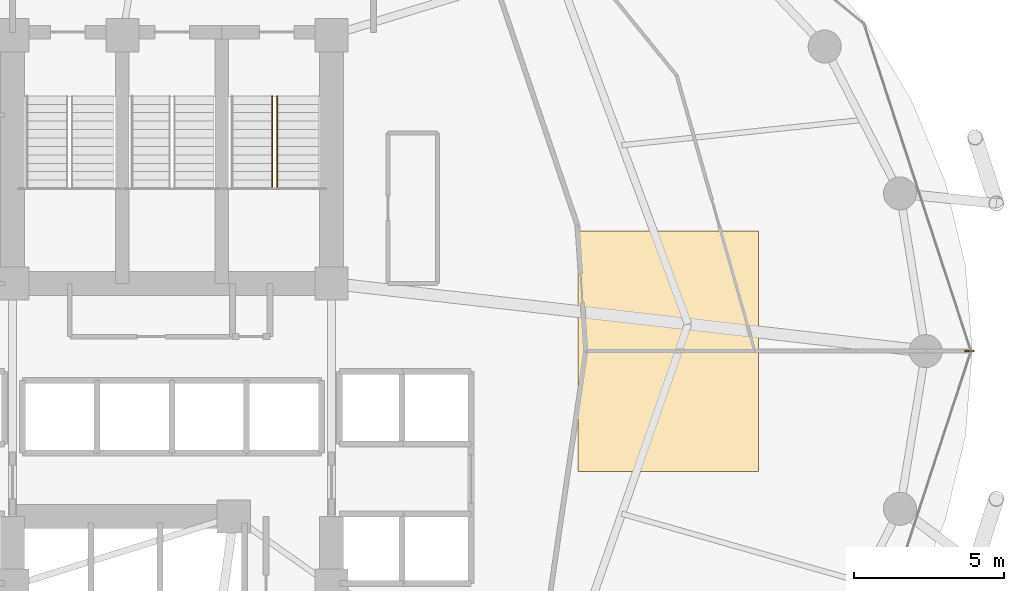
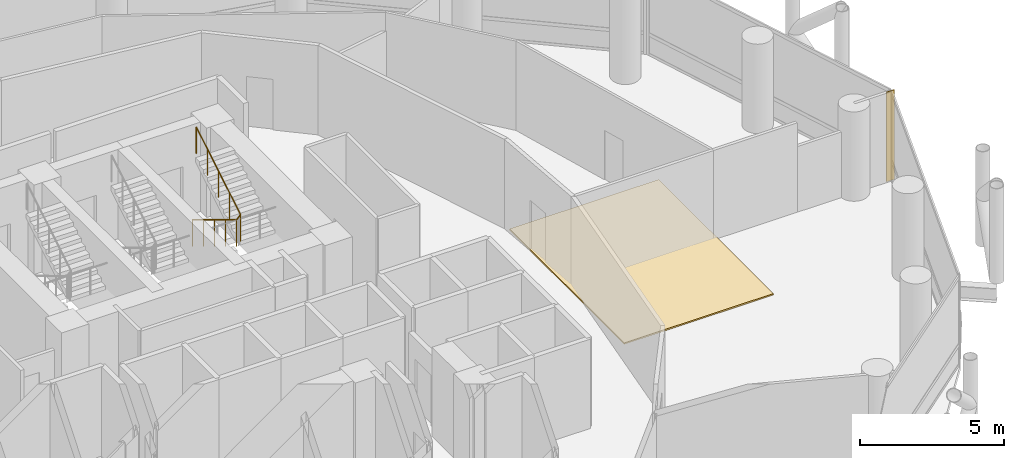
# One storey, part 26 of 26: 1 covering, 1 railing, 1 shading device.
"""IFC4 building model written with IfcOpenShell, lengths in metres."""

from ifc_helpers import new_model, si_unit, direction, frame, origin, origin_2d, place, context, subcontext, project, spatial, polyline, rectangle, outline, extrude, material, layer, layer_set, type_object, element, save


model = new_model("IFC4")

# Units and contexts
model_context = context("Model", 3, precision=1e-05, world=origin(), true_north=direction((0.0, 1.0)))
body_context = subcontext(model_context, "Body", "Model", "MODEL_VIEW")
ifc_project = project(units=[si_unit("LENGTHUNIT", "METRE"), si_unit("AREAUNIT", "SQUARE_METRE"), si_unit("VOLUMEUNIT", "CUBIC_METRE"), si_unit("PLANEANGLEUNIT", "RADIAN"), si_unit("MASSUNIT", "GRAM", prefix="KILO")], contexts=[model_context])

# Site, building, storey
site_placement = place(None, origin())
site = spatial("IfcSite", under=ifc_project, at=site_placement, CompositionType="ELEMENT")
building_placement = place(site_placement, origin())
building = spatial("IfcBuilding", under=site, at=building_placement, Name="Nuhasar Tower", CompositionType="ELEMENT")
storey_placement = place(building_placement, frame((0.0, 0.0, 53.39990234375)))
storey = spatial("IfcBuildingStorey", under=building, at=storey_placement, Name="L12", CompositionType="ELEMENT", Elevation=53.39990234375)

# Covering
ifc_material_1 = material(Name="Calcium Sulphate Tile", Category="gypsum")
ifc_layer_1 = layer(ifc_material_1, 0.06005859375)
ifc_layer_set_1 = layer_set([ifc_layer_1], Name="Calcium Sulphate Tile")
covering_type = type_object("IfcCoveringType", Name="COV-FLR-RAF120", PredefinedType="FLOORING", material=ifc_layer_set_1)
covering_placement = place(storey_placement, origin())
element("IfcCovering", 1, at=covering_placement, inside=storey, type_object=covering_type, Name="L12 Raised Access Floor Zone", PredefinedType="FLOORING", context=body_context, shape_type="SweptSolid", body=[
    extrude(outline(polyline([(52.5, 22.800048828125), (58.5, 22.800048828125), (58.5, 30.800048828125), (52.5, 30.800048828125), (52.5, 22.800048828125)])), origin(), (0.0, 0.0, 1.0), 0.06005859375),
])

# Railing
ifc_material_2 = material(Name="Steel S355", Category="steel")
railing_type = type_object("IfcRailingType", Name="RLG-STAIR-GUARD-1150", PredefinedType="GUARDRAIL", material=ifc_material_2)
railing_placement = place(storey_placement, frame((42.330078125, 35.284912109375, 0.169189453125)))
element("IfcRailing", 2, at=railing_placement, inside=storey, type_object=railing_type, Name="L12 Stair ST-02 Guardrail SLT", PredefinedType="GUARDRAIL", context=body_context, shape_type="SweptSolid", body=[
    extrude(outline(polyline([(0.024169921875, 0.0), (0.01708984375, 0.01708984375), (0.0, 0.024169921875), (-0.01708984375, 0.01708984375), (-0.024169921875, 0.0), (-0.01708984375, -0.01708984375), (0.0, -0.024169921875), (0.01708984375, -0.01708984375), (0.024169921875, 0.0)])), frame((0.0, 0.0, 1.1259765625), z_axis=(0.0, -0.856502863198, 0.516142272377), x_axis=(1.0, 0.0, 0.0)), (0.0, 0.0, 1.0), 3.595703125),
    extrude(outline(polyline([(0.024169921875, 0.0), (0.01708984375, 0.01708984375), (0.0, 0.024169921875), (-0.01708984375, 0.01708984375), (-0.024169921875, 0.0), (-0.01708984375, -0.01708984375), (0.0, -0.024169921875), (0.01708984375, -0.01708984375), (0.024169921875, 0.0)])), frame((0.0, -3.079833984375, 2.98193359375), z_axis=(0.687424367727, 0.0, 0.726255973232), x_axis=(0.0, 1.0, 0.0)), (0.0, 0.0, 1.0), 0.232666015625),
    extrude(outline(polyline([(0.024169921875, 0.0), (0.01708984375, 0.01708984375), (0.0, 0.024169921875), (-0.01708984375, 0.01708984375), (-0.024169921875, 0.0), (-0.01708984375, -0.01708984375), (0.0, -0.024169921875), (0.01708984375, -0.01708984375), (0.024169921875, 0.0)])), frame((0.159912109375, -3.079833984375, 3.15087890625), z_axis=(0.0, 0.856502863198, 0.516142272377), x_axis=(-1.0, 0.0, 0.0)), (0.0, 0.0, 1.0), 3.595703125),
    extrude(outline(polyline([(0.02099609375, 0.0), (0.014892578125, 0.014892578125), (0.0, 0.02099609375), (-0.014892578125, 0.014892578125), (-0.02099609375, 0.0), (-0.014892578125, -0.014892578125), (0.0, -0.02099609375), (0.014892578125, -0.014892578125), (0.02099609375, 0.0)])), origin(), (0.0, 0.0, 1.0), 1.101806640625),
    extrude(outline(polyline([(0.02099609375, 0.0), (0.014892578125, 0.014892578125), (0.0, 0.02099609375), (-0.014892578125, 0.014892578125), (-0.02099609375, 0.0), (-0.014892578125, -0.014892578125), (0.0, -0.02099609375), (0.014892578125, -0.014892578125), (0.02099609375, 0.0)])), frame((0.0, -0.77001953125, 0.4638671875)), (0.0, 0.0, 1.0), 1.101806640625),
    extrude(outline(polyline([(0.02099609375, 0.0), (0.014892578125, 0.014892578125), (0.0, 0.02099609375), (-0.014892578125, 0.014892578125), (-0.02099609375, 0.0), (-0.014892578125, -0.014892578125), (0.0, -0.02099609375), (0.014892578125, -0.014892578125), (0.02099609375, 0.0)])), frame((0.0, -1.5400390625, 0.927978515625)), (0.0, 0.0, 1.0), 1.101806640625),
    extrude(outline(polyline([(0.02099609375, 0.0), (0.014892578125, 0.014892578125), (0.0, 0.02099609375), (-0.014892578125, 0.014892578125), (-0.02099609375, 0.0), (-0.014892578125, -0.014892578125), (0.0, -0.02099609375), (0.014892578125, -0.014892578125), (0.02099609375, 0.0)])), frame((0.0, -2.309814453125, 1.39208984375)), (0.0, 0.0, 1.0), 1.101806640625),
    extrude(outline(polyline([(0.02099609375, 0.0), (0.014892578125, 0.014892578125), (0.0, 0.02099609375), (-0.014892578125, 0.014892578125), (-0.02099609375, 0.0), (-0.014892578125, -0.014892578125), (0.0, -0.02099609375), (0.014892578125, -0.014892578125), (0.02099609375, 0.0)])), frame((0.0, -3.079833984375, 1.85595703125)), (0.0, 0.0, 1.0), 1.101806640625),
    extrude(outline(polyline([(0.02099609375, 0.0), (0.014892578125, 0.014892578125), (0.0, 0.02099609375), (-0.014892578125, 0.014892578125), (-0.02099609375, 0.0), (-0.014892578125, -0.014892578125), (0.0, -0.02099609375), (0.014892578125, -0.014892578125), (0.02099609375, 0.0)])), frame((0.159912109375, -3.079833984375, 2.02490234375)), (0.0, 0.0, 1.0), 1.101806640625),
    extrude(outline(polyline([(0.02099609375, 0.0), (0.014892578125, 0.014892578125), (0.0, 0.02099609375), (-0.014892578125, 0.014892578125), (-0.02099609375, 0.0), (-0.014892578125, -0.014892578125), (0.0, -0.02099609375), (0.014892578125, -0.014892578125), (0.02099609375, 0.0)])), frame((0.159912109375, -2.309814453125, 2.48876953125)), (0.0, 0.0, 1.0), 1.101806640625),
    extrude(outline(polyline([(0.02099609375, 0.0), (0.014892578125, 0.014892578125), (0.0, 0.02099609375), (-0.014892578125, 0.014892578125), (-0.02099609375, 0.0), (-0.014892578125, -0.014892578125), (0.0, -0.02099609375), (0.014892578125, -0.014892578125), (0.02099609375, 0.0)])), frame((0.159912109375, -1.5400390625, 2.952880859375)), (0.0, 0.0, 1.0), 1.101806640625),
    extrude(outline(polyline([(0.02099609375, 0.0), (0.014892578125, 0.014892578125), (0.0, 0.02099609375), (-0.014892578125, 0.014892578125), (-0.02099609375, 0.0), (-0.014892578125, -0.014892578125), (0.0, -0.02099609375), (0.014892578125, -0.014892578125), (0.02099609375, 0.0)])), frame((0.159912109375, -0.77001953125, 3.4169921875)), (0.0, 0.0, 1.0), 1.101806640625),
    extrude(outline(polyline([(0.02099609375, 0.0), (0.014892578125, 0.014892578125), (0.0, 0.02099609375), (-0.014892578125, 0.014892578125), (-0.02099609375, 0.0), (-0.014892578125, -0.014892578125), (0.0, -0.02099609375), (0.014892578125, -0.014892578125), (0.02099609375, 0.0)])), frame((0.159912109375, 0.0, 3.880859375)), (0.0, 0.0, 1.0), 1.101806640625),
])

# Shading device
ifc_material_3 = material(Name="Aluminium 6063-T6", Category="aluminium")
ifc_layer_2 = layer(ifc_material_3, 0.044921875)
ifc_layer_set_2 = layer_set([ifc_layer_2], Name="Aluminium 6063-T6")
shading_device_type = type_object("IfcShadingDeviceType", Name="SHD-FIN-320", PredefinedType="JALOUSIE", material=ifc_layer_set_2)
shading_device_placement = place(storey_placement, frame((65.510009765625, 26.800048828125, 0.0), z_axis=(0.0, 0.0, 1.0), x_axis=(1.0, 0.0, 0.0)))
element("IfcShadingDevice", 3, at=shading_device_placement, inside=storey, type_object=shading_device_type, Name="L12 Solar Mashrabiya Fin 01", PredefinedType="JALOUSIE", context=body_context, shape_type="SweptSolid", body=[
    extrude(rectangle(XDim=0.320068359375, YDim=0.044921875, at=origin_2d()), origin(), (0.0, 0.0, 1.0), 3.800048828125),
])

save(model, "model.ifc")
